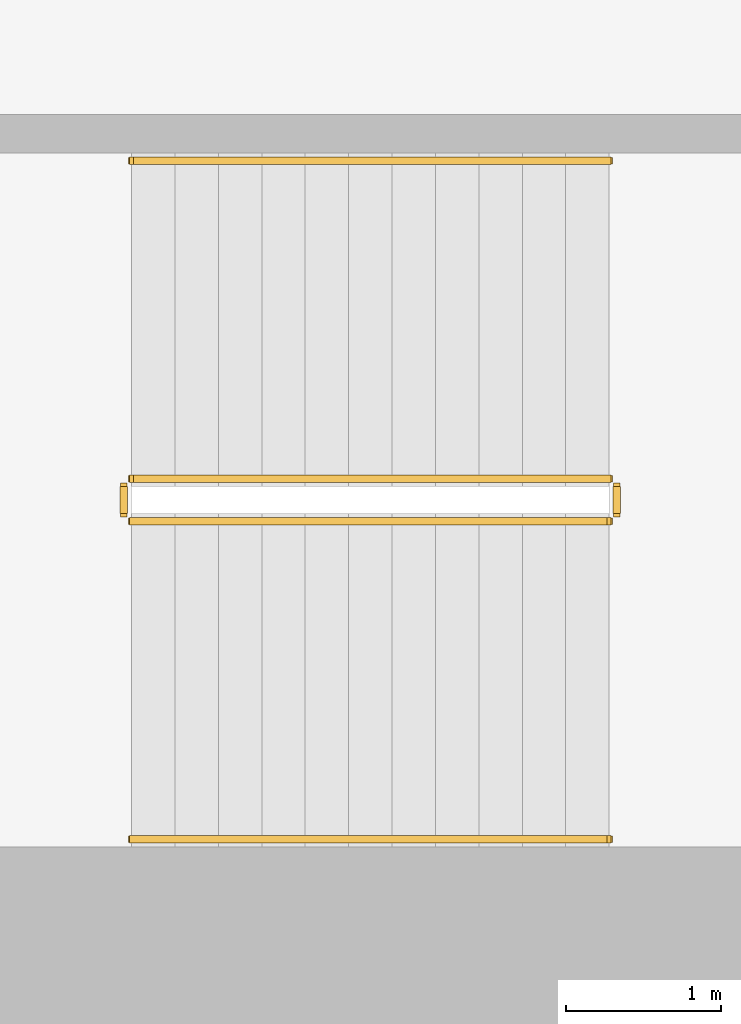
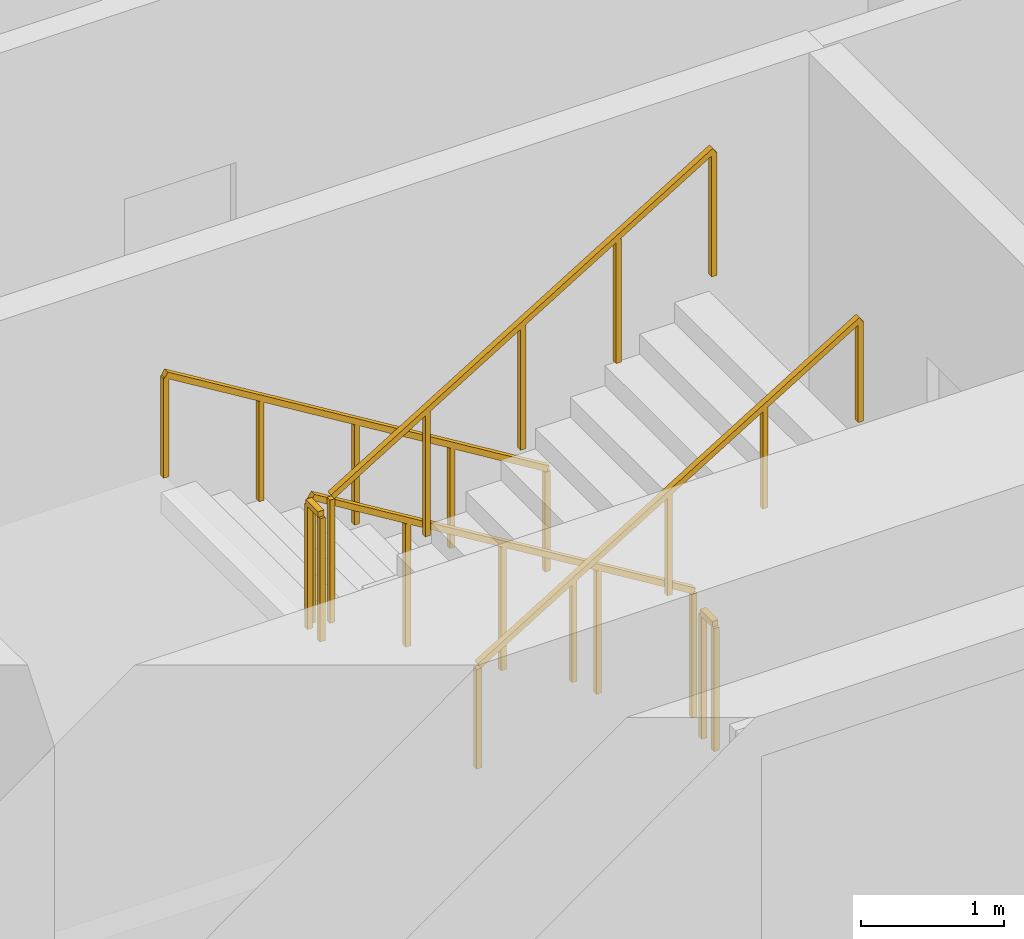
# One storey, part 10 of 14: 6 railings.
"""IFC4 building model written with IfcOpenShell, lengths in metres."""

from ifc_helpers import new_model, si_unit, direction, frame, origin, origin_2d, place, context, subcontext, project, spatial, rectangle, extrude, material, type_object, element, save


model = new_model("IFC4")

# Units and contexts
model_context = context("Model", 3, precision=1e-05, world=origin(), true_north=direction((0.0, 1.0)))
body_context = subcontext(model_context, "Body", "Model", "MODEL_VIEW")
ifc_project = project(units=[si_unit("LENGTHUNIT", "METRE"), si_unit("AREAUNIT", "SQUARE_METRE"), si_unit("VOLUMEUNIT", "CUBIC_METRE"), si_unit("PLANEANGLEUNIT", "RADIAN"), si_unit("MASSUNIT", "GRAM", prefix="KILO")], contexts=[model_context])

# Site, building, storey
site_placement = place(None, origin())
site = spatial("IfcSite", under=ifc_project, at=site_placement, CompositionType="ELEMENT")
building_placement = place(site_placement, origin())
building = spatial("IfcBuilding", under=site, at=building_placement, Name="Cypress Arch Tower", CompositionType="ELEMENT")
storey_placement = place(building_placement, frame((0.0, 0.0, 201.5)))
storey = spatial("IfcBuildingStorey", under=building, at=storey_placement, Name="L44", CompositionType="ELEMENT", Elevation=201.5)

# Railings
ifc_material_1 = material(Name="Black powder-coated steel square bar 48 mm", Category="steel")
railing_type_1 = type_object("IfcRailingType", Name="Stair handrail HR1", PredefinedType="HANDRAIL", material=ifc_material_1)
railing_1_placement = place(storey_placement, frame((-22.27490234375, -10.375, 0.1708984375)))
element("IfcRailing", 1, at=railing_1_placement, inside=storey, type_object=railing_type_1, Name="L44 A stair handrail 1", PredefinedType="HANDRAIL", context=body_context, shape_type="SweptSolid", body=[
    extrude(rectangle(XDim=0.048095703125, YDim=0.048095703125, at=origin_2d()), frame((0.0, 0.0, 0.8759765625), z_axis=(-0.853666305674, 0.0, 0.52082035152), x_axis=(0.0, -1.0, 0.0)), (0.0, 0.0, 1.0), 3.608154296875),
    extrude(rectangle(XDim=0.0419921875, YDim=0.0419921875, at=origin_2d()), origin(), (0.0, 0.0, 1.0), 0.851806640625),
    extrude(rectangle(XDim=0.0419921875, YDim=0.0419921875, at=origin_2d()), frame((-0.77001953125, 0.0, 0.4697265625)), (0.0, 0.0, 1.0), 0.851806640625),
    extrude(rectangle(XDim=0.0419921875, YDim=0.0419921875, at=origin_2d()), frame((-1.5400390625, 0.0, 0.939453125)), (0.0, 0.0, 1.0), 0.851806640625),
    extrude(rectangle(XDim=0.0419921875, YDim=0.0419921875, at=origin_2d()), frame((-2.31005859375, 0.0, 1.409423828125)), (0.0, 0.0, 1.0), 0.851806640625),
    extrude(rectangle(XDim=0.0419921875, YDim=0.0419921875, at=origin_2d()), frame((-3.080078125, 0.0, 1.879150390625)), (0.0, 0.0, 1.0), 0.851806640625),
])
railing_2_placement = place(storey_placement, frame((-25.35498046875, -14.75, 2.220947265625)))
element("IfcRailing", 2, at=railing_2_placement, inside=storey, type_object=railing_type_1, Name="L44 A stair handrail 2", PredefinedType="HANDRAIL", context=body_context, shape_type="SweptSolid", body=[
    extrude(rectangle(XDim=0.048095703125, YDim=0.048095703125, at=origin_2d()), frame((0.0, 0.0, 0.8759765625), z_axis=(0.853666305674, 0.0, 0.52082035152), x_axis=(0.0, 1.0, 0.0)), (0.0, 0.0, 1.0), 3.608154296875),
    extrude(rectangle(XDim=0.0419921875, YDim=0.0419921875, at=origin_2d()), origin(), (0.0, 0.0, 1.0), 0.851806640625),
    extrude(rectangle(XDim=0.0419921875, YDim=0.0419921875, at=origin_2d()), frame((0.77001953125, 0.0, 0.4697265625)), (0.0, 0.0, 1.0), 0.851806640625),
    extrude(rectangle(XDim=0.0419921875, YDim=0.0419921875, at=origin_2d()), frame((1.5400390625, 0.0, 0.939453125)), (0.0, 0.0, 1.0), 0.851806640625),
    extrude(rectangle(XDim=0.0419921875, YDim=0.0419921875, at=origin_2d()), frame((2.31005859375, 0.0, 1.409423828125)), (0.0, 0.0, 1.0), 0.851806640625),
    extrude(rectangle(XDim=0.0419921875, YDim=0.0419921875, at=origin_2d()), frame((3.080078125, 0.0, 1.879150390625)), (0.0, 0.0, 1.0), 0.851806640625),
])
ifc_material_2 = material(Name="Black powder-coated steel balusters", Category="steel")
railing_type_2 = type_object("IfcRailingType", Name="Stair well guard G1", PredefinedType="GUARDRAIL", material=ifc_material_2)
railing_3_placement = place(storey_placement, frame((-22.27490234375, -12.425048828125, 0.1708984375)))
element("IfcRailing", 3, at=railing_3_placement, inside=storey, type_object=railing_type_2, Name="L44 A stair guard 1", PredefinedType="GUARDRAIL", context=body_context, shape_type="SweptSolid", body=[
    extrude(rectangle(XDim=0.048095703125, YDim=0.048095703125, at=origin_2d()), frame((0.0, 0.0, 1.076171875), z_axis=(-0.853666305674, 0.0, 0.52082035152), x_axis=(0.0, -1.0, 0.0)), (0.0, 0.0, 1.0), 3.608154296875),
    extrude(rectangle(XDim=0.0419921875, YDim=0.0419921875, at=origin_2d()), origin(), (0.0, 0.0, 1.0), 1.052001953125),
    extrude(rectangle(XDim=0.0419921875, YDim=0.0419921875, at=origin_2d()), frame((-0.77001953125, 0.0, 0.4697265625)), (0.0, 0.0, 1.0), 1.052001953125),
    extrude(rectangle(XDim=0.0419921875, YDim=0.0419921875, at=origin_2d()), frame((-1.5400390625, 0.0, 0.939453125)), (0.0, 0.0, 1.0), 1.052001953125),
    extrude(rectangle(XDim=0.0419921875, YDim=0.0419921875, at=origin_2d()), frame((-2.31005859375, 0.0, 1.409423828125)), (0.0, 0.0, 1.0), 1.052001953125),
    extrude(rectangle(XDim=0.0419921875, YDim=0.0419921875, at=origin_2d()), frame((-3.080078125, 0.0, 1.879150390625)), (0.0, 0.0, 1.0), 1.052001953125),
])
railing_4_placement = place(storey_placement, frame((-25.405029296875, -12.47509765625, 2.050048828125)))
element("IfcRailing", 4, at=railing_4_placement, inside=storey, type_object=railing_type_2, Name="L44 A stair guard 2", PredefinedType="GUARDRAIL", context=body_context, shape_type="SweptSolid", body=[
    extrude(rectangle(XDim=0.048095703125, YDim=0.048095703125, at=origin_2d()), frame((0.0, 0.0, 1.076171875), z_axis=(0.0, -1.0, 0.0), x_axis=(1.0, 0.0, 0.0)), (0.0, 0.0, 1.0), 0.1748046875),
    extrude(rectangle(XDim=0.0419921875, YDim=0.0419921875, at=origin_2d()), origin(), (0.0, 0.0, 1.0), 1.052001953125),
    extrude(rectangle(XDim=0.0419921875, YDim=0.0419921875, at=origin_2d()), frame((0.0, -0.1748046875, 0.0)), (0.0, 0.0, 1.0), 1.052001953125),
])
railing_5_placement = place(storey_placement, frame((-25.35498046875, -12.699951171875, 2.220947265625)))
element("IfcRailing", 5, at=railing_5_placement, inside=storey, type_object=railing_type_2, Name="L44 A stair guard 3", PredefinedType="GUARDRAIL", context=body_context, shape_type="SweptSolid", body=[
    extrude(rectangle(XDim=0.048095703125, YDim=0.048095703125, at=origin_2d()), frame((0.0, 0.0, 1.076171875), z_axis=(0.853666305674, 0.0, 0.52082035152), x_axis=(0.0, 1.0, 0.0)), (0.0, 0.0, 1.0), 3.608154296875),
    extrude(rectangle(XDim=0.0419921875, YDim=0.0419921875, at=origin_2d()), origin(), (0.0, 0.0, 1.0), 1.052001953125),
    extrude(rectangle(XDim=0.0419921875, YDim=0.0419921875, at=origin_2d()), frame((0.77001953125, 0.0, 0.4697265625)), (0.0, 0.0, 1.0), 1.052001953125),
    extrude(rectangle(XDim=0.0419921875, YDim=0.0419921875, at=origin_2d()), frame((1.5400390625, 0.0, 0.939453125)), (0.0, 0.0, 1.0), 1.052001953125),
    extrude(rectangle(XDim=0.0419921875, YDim=0.0419921875, at=origin_2d()), frame((2.31005859375, 0.0, 1.409423828125)), (0.0, 0.0, 1.0), 1.052001953125),
    extrude(rectangle(XDim=0.0419921875, YDim=0.0419921875, at=origin_2d()), frame((3.080078125, 0.0, 1.879150390625)), (0.0, 0.0, 1.0), 1.052001953125),
])
railing_6_placement = place(storey_placement, frame((-22.22509765625, -12.47509765625, 0.0)))
element("IfcRailing", 6, at=railing_6_placement, inside=storey, type_object=railing_type_2, Name="L44 A stair guard 4", PredefinedType="GUARDRAIL", context=body_context, shape_type="SweptSolid", body=[
    extrude(rectangle(XDim=0.048095703125, YDim=0.048095703125, at=origin_2d()), frame((0.0, 0.0, 1.076171875), z_axis=(0.0, -1.0, 0.0), x_axis=(1.0, 0.0, 0.0)), (0.0, 0.0, 1.0), 0.1748046875),
    extrude(rectangle(XDim=0.0419921875, YDim=0.0419921875, at=origin_2d()), origin(), (0.0, 0.0, 1.0), 1.052001953125),
    extrude(rectangle(XDim=0.0419921875, YDim=0.0419921875, at=origin_2d()), frame((0.0, -0.1748046875, 0.0)), (0.0, 0.0, 1.0), 1.052001953125),
])

save(model, "model.ifc")
